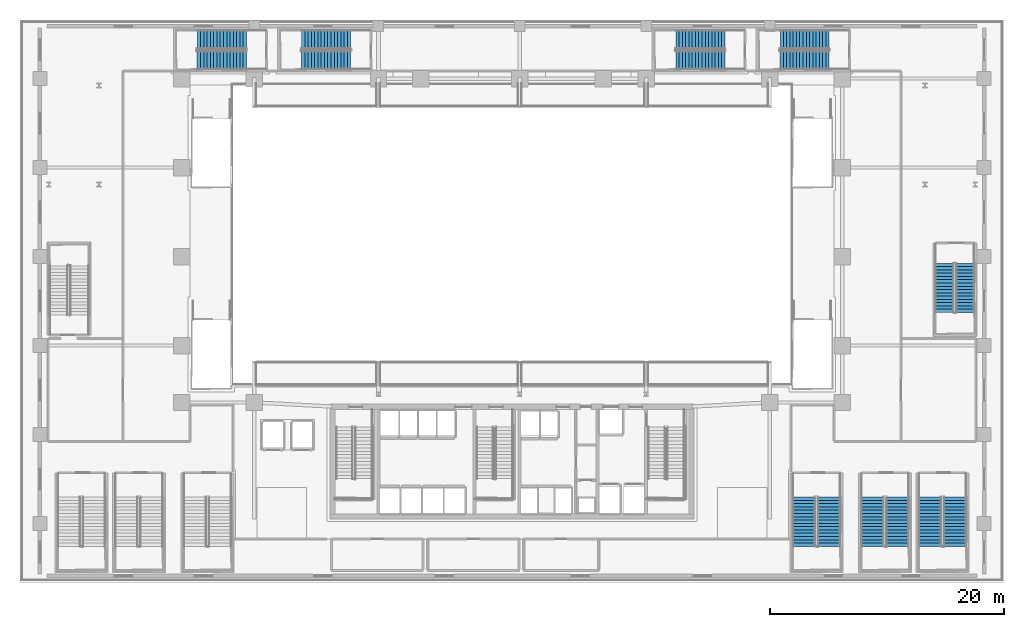
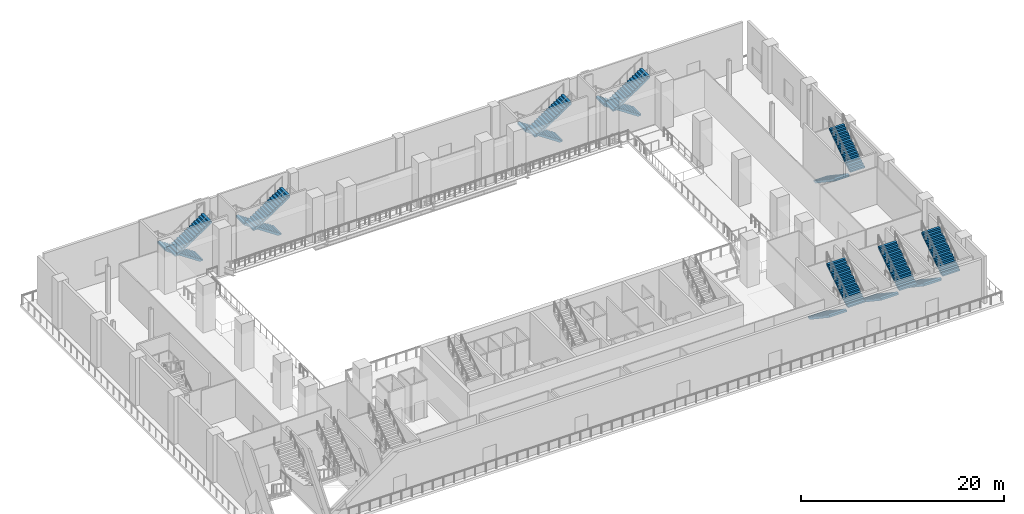
# One storey, part 13 of 28: 16 stair flights, 8 elements without a shape of their own.
"""IFC4 building model written with IfcOpenShell, lengths in metres."""

from ifc_helpers import new_model, si_unit, direction, frame, origin, place, context, subcontext, project, spatial, polyline, outline, extrude, material, type_object, element, aggregate, save


model = new_model("IFC4")

# Units and contexts
model_context = context("Model", 3, precision=1e-05, world=origin(), true_north=direction((0.0, 1.0)))
body_context = subcontext(model_context, "Body", "Model", "MODEL_VIEW")
ifc_project = project(units=[si_unit("LENGTHUNIT", "METRE"), si_unit("AREAUNIT", "SQUARE_METRE"), si_unit("VOLUMEUNIT", "CUBIC_METRE"), si_unit("PLANEANGLEUNIT", "RADIAN"), si_unit("MASSUNIT", "GRAM", prefix="KILO")], contexts=[model_context])

# Site, building, storey
site_placement = place(None, origin())
site = spatial("IfcSite", under=ifc_project, at=site_placement, CompositionType="ELEMENT")
building_placement = place(site_placement, origin())
building = spatial("IfcBuilding", under=site, at=building_placement, Name="Ndaravel Arena Tower", CompositionType="ELEMENT")
storey_placement = place(building_placement, frame((0.0, 0.0, 18.0)))
storey = spatial("IfcBuildingStorey", under=building, at=storey_placement, Name="L03", CompositionType="ELEMENT", Elevation=18.0)

# Stair, stair flights
ifc_material_1 = material(Name="Concrete C40/50", Category="concrete")
stair_type_1 = type_object("IfcStairType", Name="STAIR-ARENA-HT", PredefinedType="HALF_TURN_STAIR", material=ifc_material_1)
stair_1_placement = place(storey_placement, origin())
stair_1 = element("IfcStair", 1, at=stair_1_placement, inside=storey, type_object=stair_type_1, Name="L03 ST-A04", PredefinedType="HALF_TURN_STAIR")
ifc_material_2 = material(Name="Concrete C40/50", Category="concrete")
stair_flight_type = type_object("IfcStairFlightType", Name="SFLIGHT-ARENA-1980", PredefinedType="STRAIGHT", material=ifc_material_2)
stair_flight_1_placement = place(storey_placement, frame((66.93994140625, 7.27001953125, 0.0), z_axis=(0.0, 0.0, 1.0), x_axis=(0.0, -1.0, 0.0)))
stair_flight_1 = element("IfcStairFlight", 2, at=stair_flight_1_placement, type_object=stair_flight_type, Name="ST-A04 flight 1", NumberOfRisers=16, NumberOfTreads=15, PredefinedType="STRAIGHT", RiserHeight=0.1875, TreadLength=0.28, context=body_context, shape_type="SweptSolid", body=[
    extrude(outline(polyline([(0.0, 0.0), (0.0, 0.1875), (0.280029296875, 0.1875), (0.280029296875, 0.375), (0.56005859375, 0.375), (0.56005859375, 0.5625), (0.840087890625, 0.5625), (0.840087890625, 0.75), (1.1201171875, 0.75), (1.1201171875, 0.9375), (1.39990234375, 0.9375), (1.39990234375, 1.125), (1.679931640625, 1.125), (1.679931640625, 1.3125), (1.9599609375, 1.3125), (1.9599609375, 1.5), (2.239990234375, 1.5), (2.239990234375, 1.6875), (2.52001953125, 1.6875), (2.52001953125, 1.875), (2.800048828125, 1.875), (2.800048828125, 2.0625), (3.080078125, 2.0625), (3.080078125, 2.25), (3.360107421875, 2.25), (3.360107421875, 2.4375), (3.639892578125, 2.4375), (3.639892578125, 2.625), (3.919921875, 2.625), (3.919921875, 2.8125), (4.199951171875, 2.8125), (4.199951171875, 3.0), (4.199951171875, 2.57177734375), (0.359375, 0.0), (0.0, 0.0)])), frame((0.0, 0.989990234375, 0.0), z_axis=(0.0, -1.0, 0.0), x_axis=(1.0, 0.0, 0.0)), (0.0, 0.0, 1.0), 1.97998046875),
])
stair_flight_2_placement = place(storey_placement, frame((69.06005859375, 3.070068359375, 3.0), z_axis=(0.0, 0.0, 1.0), x_axis=(0.0, 1.0, 0.0)))
stair_flight_2 = element("IfcStairFlight", 3, at=stair_flight_2_placement, type_object=stair_flight_type, Name="ST-A04 flight 2", NumberOfRisers=16, NumberOfTreads=15, PredefinedType="STRAIGHT", RiserHeight=0.1875, TreadLength=0.28, context=body_context, shape_type="SweptSolid", body=[
    extrude(outline(polyline([(0.0, 0.0), (0.0, 0.1875), (0.280029296875, 0.1875), (0.280029296875, 0.375), (0.56005859375, 0.375), (0.56005859375, 0.5625), (0.840087890625, 0.5625), (0.840087890625, 0.75), (1.1201171875, 0.75), (1.1201171875, 0.9375), (1.39990234375, 0.9375), (1.39990234375, 1.125), (1.679931640625, 1.125), (1.679931640625, 1.3125), (1.9599609375, 1.3125), (1.9599609375, 1.5), (2.239990234375, 1.5), (2.239990234375, 1.6875), (2.52001953125, 1.6875), (2.52001953125, 1.875), (2.800048828125, 1.875), (2.800048828125, 2.0625), (3.080078125, 2.0625), (3.080078125, 2.25), (3.360107421875, 2.25), (3.360107421875, 2.4375), (3.639892578125, 2.4375), (3.639892578125, 2.625), (3.919921875, 2.625), (3.919921875, 2.8125), (4.199951171875, 2.8125), (4.199951171875, 3.0), (4.199951171875, 2.57177734375), (0.359375, 0.0), (0.0, 0.0)])), frame((0.0, 0.989990234375, 0.0), z_axis=(0.0, -1.0, 0.0), x_axis=(1.0, 0.0, 0.0)), (0.0, 0.0, 1.0), 1.97998046875),
])
aggregate(stair_1, [stair_flight_1, stair_flight_2])

stair_2_placement = place(storey_placement, origin())
stair_2 = element("IfcStair", 4, at=stair_2_placement, inside=storey, type_object=stair_type_1, Name="L03 ST-A05", PredefinedType="HALF_TURN_STAIR")
stair_flight_3_placement = place(storey_placement, frame((72.7900390625, 7.27001953125, 0.0), z_axis=(0.0, 0.0, 1.0), x_axis=(0.0, -1.0, 0.0)))
stair_flight_3 = element("IfcStairFlight", 5, at=stair_flight_3_placement, type_object=stair_flight_type, Name="ST-A05 flight 1", NumberOfRisers=16, NumberOfTreads=15, PredefinedType="STRAIGHT", RiserHeight=0.1875, TreadLength=0.28, context=body_context, shape_type="SweptSolid", body=[
    extrude(outline(polyline([(0.0, 0.0), (0.0, 0.1875), (0.280029296875, 0.1875), (0.280029296875, 0.375), (0.56005859375, 0.375), (0.56005859375, 0.5625), (0.840087890625, 0.5625), (0.840087890625, 0.75), (1.1201171875, 0.75), (1.1201171875, 0.9375), (1.39990234375, 0.9375), (1.39990234375, 1.125), (1.679931640625, 1.125), (1.679931640625, 1.3125), (1.9599609375, 1.3125), (1.9599609375, 1.5), (2.239990234375, 1.5), (2.239990234375, 1.6875), (2.52001953125, 1.6875), (2.52001953125, 1.875), (2.800048828125, 1.875), (2.800048828125, 2.0625), (3.080078125, 2.0625), (3.080078125, 2.25), (3.360107421875, 2.25), (3.360107421875, 2.4375), (3.639892578125, 2.4375), (3.639892578125, 2.625), (3.919921875, 2.625), (3.919921875, 2.8125), (4.199951171875, 2.8125), (4.199951171875, 3.0), (4.199951171875, 2.57177734375), (0.359375, 0.0), (0.0, 0.0)])), frame((0.0, 0.989990234375, 0.0), z_axis=(0.0, -1.0, 0.0), x_axis=(1.0, 0.0, 0.0)), (0.0, 0.0, 1.0), 1.97998046875),
])
stair_flight_4_placement = place(storey_placement, frame((74.909912109375, 3.070068359375, 3.0), z_axis=(0.0, 0.0, 1.0), x_axis=(0.0, 1.0, 0.0)))
stair_flight_4 = element("IfcStairFlight", 6, at=stair_flight_4_placement, type_object=stair_flight_type, Name="ST-A05 flight 2", NumberOfRisers=16, NumberOfTreads=15, PredefinedType="STRAIGHT", RiserHeight=0.1875, TreadLength=0.28, context=body_context, shape_type="SweptSolid", body=[
    extrude(outline(polyline([(0.0, 0.0), (0.0, 0.1875), (0.280029296875, 0.1875), (0.280029296875, 0.375), (0.56005859375, 0.375), (0.56005859375, 0.5625), (0.840087890625, 0.5625), (0.840087890625, 0.75), (1.1201171875, 0.75), (1.1201171875, 0.9375), (1.39990234375, 0.9375), (1.39990234375, 1.125), (1.679931640625, 1.125), (1.679931640625, 1.3125), (1.9599609375, 1.3125), (1.9599609375, 1.5), (2.239990234375, 1.5), (2.239990234375, 1.6875), (2.52001953125, 1.6875), (2.52001953125, 1.875), (2.800048828125, 1.875), (2.800048828125, 2.0625), (3.080078125, 2.0625), (3.080078125, 2.25), (3.360107421875, 2.25), (3.360107421875, 2.4375), (3.639892578125, 2.4375), (3.639892578125, 2.625), (3.919921875, 2.625), (3.919921875, 2.8125), (4.199951171875, 2.8125), (4.199951171875, 3.0), (4.199951171875, 2.57177734375), (0.359375, 0.0), (0.0, 0.0)])), frame((0.0, 0.989990234375, 0.0), z_axis=(0.0, -1.0, 0.0), x_axis=(1.0, 0.0, 0.0)), (0.0, 0.0, 1.0), 1.97998046875),
])
aggregate(stair_2, [stair_flight_3, stair_flight_4])

stair_3_placement = place(storey_placement, origin())
stair_3 = element("IfcStair", 7, at=stair_3_placement, inside=storey, type_object=stair_type_1, Name="L03 ST-A06", PredefinedType="HALF_TURN_STAIR")
stair_flight_5_placement = place(storey_placement, frame((77.68994140625, 7.27001953125, 0.0), z_axis=(0.0, 0.0, 1.0), x_axis=(0.0, -1.0, 0.0)))
stair_flight_5 = element("IfcStairFlight", 8, at=stair_flight_5_placement, type_object=stair_flight_type, Name="ST-A06 flight 1", NumberOfRisers=16, NumberOfTreads=15, PredefinedType="STRAIGHT", RiserHeight=0.1875, TreadLength=0.28, context=body_context, shape_type="SweptSolid", body=[
    extrude(outline(polyline([(0.0, 0.0), (0.0, 0.1875), (0.280029296875, 0.1875), (0.280029296875, 0.375), (0.56005859375, 0.375), (0.56005859375, 0.5625), (0.840087890625, 0.5625), (0.840087890625, 0.75), (1.1201171875, 0.75), (1.1201171875, 0.9375), (1.39990234375, 0.9375), (1.39990234375, 1.125), (1.679931640625, 1.125), (1.679931640625, 1.3125), (1.9599609375, 1.3125), (1.9599609375, 1.5), (2.239990234375, 1.5), (2.239990234375, 1.6875), (2.52001953125, 1.6875), (2.52001953125, 1.875), (2.800048828125, 1.875), (2.800048828125, 2.0625), (3.080078125, 2.0625), (3.080078125, 2.25), (3.360107421875, 2.25), (3.360107421875, 2.4375), (3.639892578125, 2.4375), (3.639892578125, 2.625), (3.919921875, 2.625), (3.919921875, 2.8125), (4.199951171875, 2.8125), (4.199951171875, 3.0), (4.199951171875, 2.57177734375), (0.359375, 0.0), (0.0, 0.0)])), frame((0.0, 0.989990234375, 0.0), z_axis=(0.0, -1.0, 0.0), x_axis=(1.0, 0.0, 0.0)), (0.0, 0.0, 1.0), 1.97998046875),
])
stair_flight_6_placement = place(storey_placement, frame((79.81005859375, 3.070068359375, 3.0), z_axis=(0.0, 0.0, 1.0), x_axis=(0.0, 1.0, 0.0)))
stair_flight_6 = element("IfcStairFlight", 9, at=stair_flight_6_placement, type_object=stair_flight_type, Name="ST-A06 flight 2", NumberOfRisers=16, NumberOfTreads=15, PredefinedType="STRAIGHT", RiserHeight=0.1875, TreadLength=0.28, context=body_context, shape_type="SweptSolid", body=[
    extrude(outline(polyline([(0.0, 0.0), (0.0, 0.1875), (0.280029296875, 0.1875), (0.280029296875, 0.375), (0.56005859375, 0.375), (0.56005859375, 0.5625), (0.840087890625, 0.5625), (0.840087890625, 0.75), (1.1201171875, 0.75), (1.1201171875, 0.9375), (1.39990234375, 0.9375), (1.39990234375, 1.125), (1.679931640625, 1.125), (1.679931640625, 1.3125), (1.9599609375, 1.3125), (1.9599609375, 1.5), (2.239990234375, 1.5), (2.239990234375, 1.6875), (2.52001953125, 1.6875), (2.52001953125, 1.875), (2.800048828125, 1.875), (2.800048828125, 2.0625), (3.080078125, 2.0625), (3.080078125, 2.25), (3.360107421875, 2.25), (3.360107421875, 2.4375), (3.639892578125, 2.4375), (3.639892578125, 2.625), (3.919921875, 2.625), (3.919921875, 2.8125), (4.199951171875, 2.8125), (4.199951171875, 3.0), (4.199951171875, 2.57177734375), (0.359375, 0.0), (0.0, 0.0)])), frame((0.0, 0.989990234375, 0.0), z_axis=(0.0, -1.0, 0.0), x_axis=(1.0, 0.0, 0.0)), (0.0, 0.0, 1.0), 1.97998046875),
])
aggregate(stair_3, [stair_flight_5, stair_flight_6])

ifc_material_3 = material(Name="Concrete C40/50", Category="concrete")
stair_type_2 = type_object("IfcStairType", Name="STAIR-POD-QT", PredefinedType="QUARTER_TURN_STAIR", material=ifc_material_3)
stair_4_placement = place(storey_placement, origin())
stair_4 = element("IfcStair", 10, at=stair_4_placement, inside=storey, type_object=stair_type_2, Name="L03 ST-A08", PredefinedType="QUARTER_TURN_STAIR")
stair_flight_7_placement = place(storey_placement, frame((19.330078125, 46.330078125, 0.0), z_axis=(0.0, 0.0, 1.0), x_axis=(-1.0, 0.0, 0.0)))
stair_flight_7 = element("IfcStairFlight", 11, at=stair_flight_7_placement, type_object=stair_flight_type, Name="ST-A08 flight 1", NumberOfRisers=16, NumberOfTreads=15, PredefinedType="STRAIGHT", RiserHeight=0.1875, TreadLength=0.28, context=body_context, shape_type="SweptSolid", body=[
    extrude(outline(polyline([(0.0, 0.0), (0.0, 0.1875), (0.280029296875, 0.1875), (0.280029296875, 0.375), (0.56005859375, 0.375), (0.56005859375, 0.5625), (0.840087890625, 0.5625), (0.840087890625, 0.75), (1.1201171875, 0.75), (1.1201171875, 0.9375), (1.39990234375, 0.9375), (1.39990234375, 1.125), (1.679931640625, 1.125), (1.679931640625, 1.3125), (1.9599609375, 1.3125), (1.9599609375, 1.5), (2.239990234375, 1.5), (2.239990234375, 1.6875), (2.52001953125, 1.6875), (2.52001953125, 1.875), (2.800048828125, 1.875), (2.800048828125, 2.0625), (3.080078125, 2.0625), (3.080078125, 2.25), (3.360107421875, 2.25), (3.360107421875, 2.4375), (3.639892578125, 2.4375), (3.639892578125, 2.625), (3.919921875, 2.625), (3.919921875, 2.8125), (4.199951171875, 2.8125), (4.199951171875, 3.0), (4.199951171875, 2.57177734375), (0.359375, 0.0), (0.0, 0.0)])), frame((0.0, 0.81005859375, 0.0), z_axis=(0.0, -1.0, 0.0), x_axis=(1.0, 0.0, 0.0)), (0.0, 0.0, 1.0), 1.6201171875),
])
stair_flight_8_placement = place(storey_placement, frame((15.1298828125, 44.570068359375, 3.0), z_axis=(0.0, 0.0, 1.0), x_axis=(1.0, 0.0, 0.0)))
stair_flight_8 = element("IfcStairFlight", 12, at=stair_flight_8_placement, type_object=stair_flight_type, Name="ST-A08 flight 2", NumberOfRisers=16, NumberOfTreads=15, PredefinedType="STRAIGHT", RiserHeight=0.1875, TreadLength=0.28, context=body_context, shape_type="SweptSolid", body=[
    extrude(outline(polyline([(0.0, 0.0), (0.0, 0.1875), (0.280029296875, 0.1875), (0.280029296875, 0.375), (0.56005859375, 0.375), (0.56005859375, 0.5625), (0.840087890625, 0.5625), (0.840087890625, 0.75), (1.1201171875, 0.75), (1.1201171875, 0.9375), (1.39990234375, 0.9375), (1.39990234375, 1.125), (1.679931640625, 1.125), (1.679931640625, 1.3125), (1.9599609375, 1.3125), (1.9599609375, 1.5), (2.239990234375, 1.5), (2.239990234375, 1.6875), (2.52001953125, 1.6875), (2.52001953125, 1.875), (2.800048828125, 1.875), (2.800048828125, 2.0625), (3.080078125, 2.0625), (3.080078125, 2.25), (3.360107421875, 2.25), (3.360107421875, 2.4375), (3.639892578125, 2.4375), (3.639892578125, 2.625), (3.919921875, 2.625), (3.919921875, 2.8125), (4.199951171875, 2.8125), (4.199951171875, 3.0), (4.199951171875, 2.57177734375), (0.359375, 0.0), (0.0, 0.0)])), frame((0.0, 0.81005859375, 0.0), z_axis=(0.0, -1.0, 0.0), x_axis=(1.0, 0.0, 0.0)), (0.0, 0.0, 1.0), 1.6201171875),
])
aggregate(stair_4, [stair_flight_7, stair_flight_8])

stair_5_placement = place(storey_placement, origin())
stair_5 = element("IfcStair", 13, at=stair_5_placement, inside=storey, type_object=stair_type_2, Name="L03 ST-A09", PredefinedType="QUARTER_TURN_STAIR")
stair_flight_9_placement = place(storey_placement, frame((28.22998046875, 46.330078125, 0.0), z_axis=(0.0, 0.0, 1.0), x_axis=(-1.0, 0.0, 0.0)))
stair_flight_9 = element("IfcStairFlight", 14, at=stair_flight_9_placement, type_object=stair_flight_type, Name="ST-A09 flight 1", NumberOfRisers=16, NumberOfTreads=15, PredefinedType="STRAIGHT", RiserHeight=0.1875, TreadLength=0.28, context=body_context, shape_type="SweptSolid", body=[
    extrude(outline(polyline([(0.0, 0.0), (0.0, 0.1875), (0.280029296875, 0.1875), (0.280029296875, 0.375), (0.56005859375, 0.375), (0.56005859375, 0.5625), (0.840087890625, 0.5625), (0.840087890625, 0.75), (1.1201171875, 0.75), (1.1201171875, 0.9375), (1.39990234375, 0.9375), (1.39990234375, 1.125), (1.679931640625, 1.125), (1.679931640625, 1.3125), (1.9599609375, 1.3125), (1.9599609375, 1.5), (2.239990234375, 1.5), (2.239990234375, 1.6875), (2.52001953125, 1.6875), (2.52001953125, 1.875), (2.800048828125, 1.875), (2.800048828125, 2.0625), (3.080078125, 2.0625), (3.080078125, 2.25), (3.360107421875, 2.25), (3.360107421875, 2.4375), (3.639892578125, 2.4375), (3.639892578125, 2.625), (3.919921875, 2.625), (3.919921875, 2.8125), (4.199951171875, 2.8125), (4.199951171875, 3.0), (4.199951171875, 2.57177734375), (0.359375, 0.0), (0.0, 0.0)])), frame((0.0, 0.81005859375, 0.0), z_axis=(0.0, -1.0, 0.0), x_axis=(1.0, 0.0, 0.0)), (0.0, 0.0, 1.0), 1.6201171875),
])
stair_flight_10_placement = place(storey_placement, frame((24.030029296875, 44.570068359375, 3.0), z_axis=(0.0, 0.0, 1.0), x_axis=(1.0, 0.0, 0.0)))
stair_flight_10 = element("IfcStairFlight", 15, at=stair_flight_10_placement, type_object=stair_flight_type, Name="ST-A09 flight 2", NumberOfRisers=16, NumberOfTreads=15, PredefinedType="STRAIGHT", RiserHeight=0.1875, TreadLength=0.28, context=body_context, shape_type="SweptSolid", body=[
    extrude(outline(polyline([(0.0, 0.0), (0.0, 0.1875), (0.280029296875, 0.1875), (0.280029296875, 0.375), (0.56005859375, 0.375), (0.56005859375, 0.5625), (0.840087890625, 0.5625), (0.840087890625, 0.75), (1.1201171875, 0.75), (1.1201171875, 0.9375), (1.39990234375, 0.9375), (1.39990234375, 1.125), (1.679931640625, 1.125), (1.679931640625, 1.3125), (1.9599609375, 1.3125), (1.9599609375, 1.5), (2.239990234375, 1.5), (2.239990234375, 1.6875), (2.52001953125, 1.6875), (2.52001953125, 1.875), (2.800048828125, 1.875), (2.800048828125, 2.0625), (3.080078125, 2.0625), (3.080078125, 2.25), (3.360107421875, 2.25), (3.360107421875, 2.4375), (3.639892578125, 2.4375), (3.639892578125, 2.625), (3.919921875, 2.625), (3.919921875, 2.8125), (4.199951171875, 2.8125), (4.199951171875, 3.0), (4.199951171875, 2.57177734375), (0.359375, 0.0), (0.0, 0.0)])), frame((0.0, 0.81005859375, 0.0), z_axis=(0.0, -1.0, 0.0), x_axis=(1.0, 0.0, 0.0)), (0.0, 0.0, 1.0), 1.6201171875),
])
aggregate(stair_5, [stair_flight_9, stair_flight_10])

stair_6_placement = place(storey_placement, origin())
stair_6 = element("IfcStair", 16, at=stair_6_placement, inside=storey, type_object=stair_type_2, Name="L03 ST-A10", PredefinedType="QUARTER_TURN_STAIR")
stair_flight_11_placement = place(storey_placement, frame((60.179931640625, 46.330078125, 0.0), z_axis=(0.0, 0.0, 1.0), x_axis=(-1.0, 0.0, 0.0)))
stair_flight_11 = element("IfcStairFlight", 17, at=stair_flight_11_placement, type_object=stair_flight_type, Name="ST-A10 flight 1", NumberOfRisers=16, NumberOfTreads=15, PredefinedType="STRAIGHT", RiserHeight=0.1875, TreadLength=0.28, context=body_context, shape_type="SweptSolid", body=[
    extrude(outline(polyline([(0.0, 0.0), (0.0, 0.1875), (0.280029296875, 0.1875), (0.280029296875, 0.375), (0.56005859375, 0.375), (0.56005859375, 0.5625), (0.840087890625, 0.5625), (0.840087890625, 0.75), (1.1201171875, 0.75), (1.1201171875, 0.9375), (1.39990234375, 0.9375), (1.39990234375, 1.125), (1.679931640625, 1.125), (1.679931640625, 1.3125), (1.9599609375, 1.3125), (1.9599609375, 1.5), (2.239990234375, 1.5), (2.239990234375, 1.6875), (2.52001953125, 1.6875), (2.52001953125, 1.875), (2.800048828125, 1.875), (2.800048828125, 2.0625), (3.080078125, 2.0625), (3.080078125, 2.25), (3.360107421875, 2.25), (3.360107421875, 2.4375), (3.639892578125, 2.4375), (3.639892578125, 2.625), (3.919921875, 2.625), (3.919921875, 2.8125), (4.199951171875, 2.8125), (4.199951171875, 3.0), (4.199951171875, 2.57177734375), (0.359375, 0.0), (0.0, 0.0)])), frame((0.0, 0.81005859375, 0.0), z_axis=(0.0, -1.0, 0.0), x_axis=(1.0, 0.0, 0.0)), (0.0, 0.0, 1.0), 1.6201171875),
])
stair_flight_12_placement = place(storey_placement, frame((55.97998046875, 44.570068359375, 3.0), z_axis=(0.0, 0.0, 1.0), x_axis=(1.0, 0.0, 0.0)))
stair_flight_12 = element("IfcStairFlight", 18, at=stair_flight_12_placement, type_object=stair_flight_type, Name="ST-A10 flight 2", NumberOfRisers=16, NumberOfTreads=15, PredefinedType="STRAIGHT", RiserHeight=0.1875, TreadLength=0.28, context=body_context, shape_type="SweptSolid", body=[
    extrude(outline(polyline([(0.0, 0.0), (0.0, 0.1875), (0.280029296875, 0.1875), (0.280029296875, 0.375), (0.56005859375, 0.375), (0.56005859375, 0.5625), (0.840087890625, 0.5625), (0.840087890625, 0.75), (1.1201171875, 0.75), (1.1201171875, 0.9375), (1.39990234375, 0.9375), (1.39990234375, 1.125), (1.679931640625, 1.125), (1.679931640625, 1.3125), (1.9599609375, 1.3125), (1.9599609375, 1.5), (2.239990234375, 1.5), (2.239990234375, 1.6875), (2.52001953125, 1.6875), (2.52001953125, 1.875), (2.800048828125, 1.875), (2.800048828125, 2.0625), (3.080078125, 2.0625), (3.080078125, 2.25), (3.360107421875, 2.25), (3.360107421875, 2.4375), (3.639892578125, 2.4375), (3.639892578125, 2.625), (3.919921875, 2.625), (3.919921875, 2.8125), (4.199951171875, 2.8125), (4.199951171875, 3.0), (4.199951171875, 2.57177734375), (0.359375, 0.0), (0.0, 0.0)])), frame((0.0, 0.81005859375, 0.0), z_axis=(0.0, -1.0, 0.0), x_axis=(1.0, 0.0, 0.0)), (0.0, 0.0, 1.0), 1.6201171875),
])
aggregate(stair_6, [stair_flight_11, stair_flight_12])

stair_7_placement = place(storey_placement, origin())
stair_7 = element("IfcStair", 19, at=stair_7_placement, inside=storey, type_object=stair_type_2, Name="L03 ST-A11", PredefinedType="QUARTER_TURN_STAIR")
stair_flight_13_placement = place(storey_placement, frame((69.080078125, 46.330078125, 0.0), z_axis=(0.0, 0.0, 1.0), x_axis=(-1.0, 0.0, 0.0)))
stair_flight_13 = element("IfcStairFlight", 20, at=stair_flight_13_placement, type_object=stair_flight_type, Name="ST-A11 flight 1", NumberOfRisers=16, NumberOfTreads=15, PredefinedType="STRAIGHT", RiserHeight=0.1875, TreadLength=0.28, context=body_context, shape_type="SweptSolid", body=[
    extrude(outline(polyline([(0.0, 0.0), (0.0, 0.1875), (0.280029296875, 0.1875), (0.280029296875, 0.375), (0.56005859375, 0.375), (0.56005859375, 0.5625), (0.840087890625, 0.5625), (0.840087890625, 0.75), (1.1201171875, 0.75), (1.1201171875, 0.9375), (1.39990234375, 0.9375), (1.39990234375, 1.125), (1.679931640625, 1.125), (1.679931640625, 1.3125), (1.9599609375, 1.3125), (1.9599609375, 1.5), (2.239990234375, 1.5), (2.239990234375, 1.6875), (2.52001953125, 1.6875), (2.52001953125, 1.875), (2.800048828125, 1.875), (2.800048828125, 2.0625), (3.080078125, 2.0625), (3.080078125, 2.25), (3.360107421875, 2.25), (3.360107421875, 2.4375), (3.639892578125, 2.4375), (3.639892578125, 2.625), (3.919921875, 2.625), (3.919921875, 2.8125), (4.199951171875, 2.8125), (4.199951171875, 3.0), (4.199951171875, 2.57177734375), (0.359375, 0.0), (0.0, 0.0)])), frame((0.0, 0.81005859375, 0.0), z_axis=(0.0, -1.0, 0.0), x_axis=(1.0, 0.0, 0.0)), (0.0, 0.0, 1.0), 1.6201171875),
])
stair_flight_14_placement = place(storey_placement, frame((64.8798828125, 44.570068359375, 3.0), z_axis=(0.0, 0.0, 1.0), x_axis=(1.0, 0.0, 0.0)))
stair_flight_14 = element("IfcStairFlight", 21, at=stair_flight_14_placement, type_object=stair_flight_type, Name="ST-A11 flight 2", NumberOfRisers=16, NumberOfTreads=15, PredefinedType="STRAIGHT", RiserHeight=0.1875, TreadLength=0.28, context=body_context, shape_type="SweptSolid", body=[
    extrude(outline(polyline([(0.0, 0.0), (0.0, 0.1875), (0.280029296875, 0.1875), (0.280029296875, 0.375), (0.56005859375, 0.375), (0.56005859375, 0.5625), (0.840087890625, 0.5625), (0.840087890625, 0.75), (1.1201171875, 0.75), (1.1201171875, 0.9375), (1.39990234375, 0.9375), (1.39990234375, 1.125), (1.679931640625, 1.125), (1.679931640625, 1.3125), (1.9599609375, 1.3125), (1.9599609375, 1.5), (2.239990234375, 1.5), (2.239990234375, 1.6875), (2.52001953125, 1.6875), (2.52001953125, 1.875), (2.800048828125, 1.875), (2.800048828125, 2.0625), (3.080078125, 2.0625), (3.080078125, 2.25), (3.360107421875, 2.25), (3.360107421875, 2.4375), (3.639892578125, 2.4375), (3.639892578125, 2.625), (3.919921875, 2.625), (3.919921875, 2.8125), (4.199951171875, 2.8125), (4.199951171875, 3.0), (4.199951171875, 2.57177734375), (0.359375, 0.0), (0.0, 0.0)])), frame((0.0, 0.81005859375, 0.0), z_axis=(0.0, -1.0, 0.0), x_axis=(1.0, 0.0, 0.0)), (0.0, 0.0, 1.0), 1.6201171875),
])
aggregate(stair_7, [stair_flight_13, stair_flight_14])

stair_8_placement = place(storey_placement, origin())
stair_8 = element("IfcStair", 22, at=stair_8_placement, inside=storey, type_object=stair_type_2, Name="L03 ST-A12", PredefinedType="QUARTER_TURN_STAIR")
stair_flight_15_placement = place(storey_placement, frame((78.929931640625, 27.22998046875, 0.0), z_axis=(0.0, 0.0, 1.0), x_axis=(0.0, -1.0, 0.0)))
stair_flight_15 = element("IfcStairFlight", 23, at=stair_flight_15_placement, type_object=stair_flight_type, Name="ST-A12 flight 1", NumberOfRisers=16, NumberOfTreads=15, PredefinedType="STRAIGHT", RiserHeight=0.1875, TreadLength=0.28, context=body_context, shape_type="SweptSolid", body=[
    extrude(outline(polyline([(0.0, 0.0), (0.0, 0.1875), (0.280029296875, 0.1875), (0.280029296875, 0.375), (0.56005859375, 0.375), (0.56005859375, 0.5625), (0.840087890625, 0.5625), (0.840087890625, 0.75), (1.1201171875, 0.75), (1.1201171875, 0.9375), (1.39990234375, 0.9375), (1.39990234375, 1.125), (1.679931640625, 1.125), (1.679931640625, 1.3125), (1.9599609375, 1.3125), (1.9599609375, 1.5), (2.239990234375, 1.5), (2.239990234375, 1.6875), (2.52001953125, 1.6875), (2.52001953125, 1.875), (2.800048828125, 1.875), (2.800048828125, 2.0625), (3.080078125, 2.0625), (3.080078125, 2.25), (3.360107421875, 2.25), (3.360107421875, 2.4375), (3.639892578125, 2.4375), (3.639892578125, 2.625), (3.919921875, 2.625), (3.919921875, 2.8125), (4.199951171875, 2.8125), (4.199951171875, 3.0), (4.199951171875, 2.57177734375), (0.359375, 0.0), (0.0, 0.0)])), frame((0.0, 0.81005859375, 0.0), z_axis=(0.0, -1.0, 0.0), x_axis=(1.0, 0.0, 0.0)), (0.0, 0.0, 1.0), 1.6201171875),
])
stair_flight_16_placement = place(storey_placement, frame((80.68994140625, 23.030029296875, 3.0), z_axis=(0.0, 0.0, 1.0), x_axis=(0.0, 1.0, 0.0)))
stair_flight_16 = element("IfcStairFlight", 24, at=stair_flight_16_placement, type_object=stair_flight_type, Name="ST-A12 flight 2", NumberOfRisers=16, NumberOfTreads=15, PredefinedType="STRAIGHT", RiserHeight=0.1875, TreadLength=0.28, context=body_context, shape_type="SweptSolid", body=[
    extrude(outline(polyline([(0.0, 0.0), (0.0, 0.1875), (0.280029296875, 0.1875), (0.280029296875, 0.375), (0.56005859375, 0.375), (0.56005859375, 0.5625), (0.840087890625, 0.5625), (0.840087890625, 0.75), (1.1201171875, 0.75), (1.1201171875, 0.9375), (1.39990234375, 0.9375), (1.39990234375, 1.125), (1.679931640625, 1.125), (1.679931640625, 1.3125), (1.9599609375, 1.3125), (1.9599609375, 1.5), (2.239990234375, 1.5), (2.239990234375, 1.6875), (2.52001953125, 1.6875), (2.52001953125, 1.875), (2.800048828125, 1.875), (2.800048828125, 2.0625), (3.080078125, 2.0625), (3.080078125, 2.25), (3.360107421875, 2.25), (3.360107421875, 2.4375), (3.639892578125, 2.4375), (3.639892578125, 2.625), (3.919921875, 2.625), (3.919921875, 2.8125), (4.199951171875, 2.8125), (4.199951171875, 3.0), (4.199951171875, 2.57177734375), (0.359375, 0.0), (0.0, 0.0)])), frame((0.0, 0.81005859375, 0.0), z_axis=(0.0, -1.0, 0.0), x_axis=(1.0, 0.0, 0.0)), (0.0, 0.0, 1.0), 1.6201171875),
])
aggregate(stair_8, [stair_flight_15, stair_flight_16])

save(model, "model.ifc")
